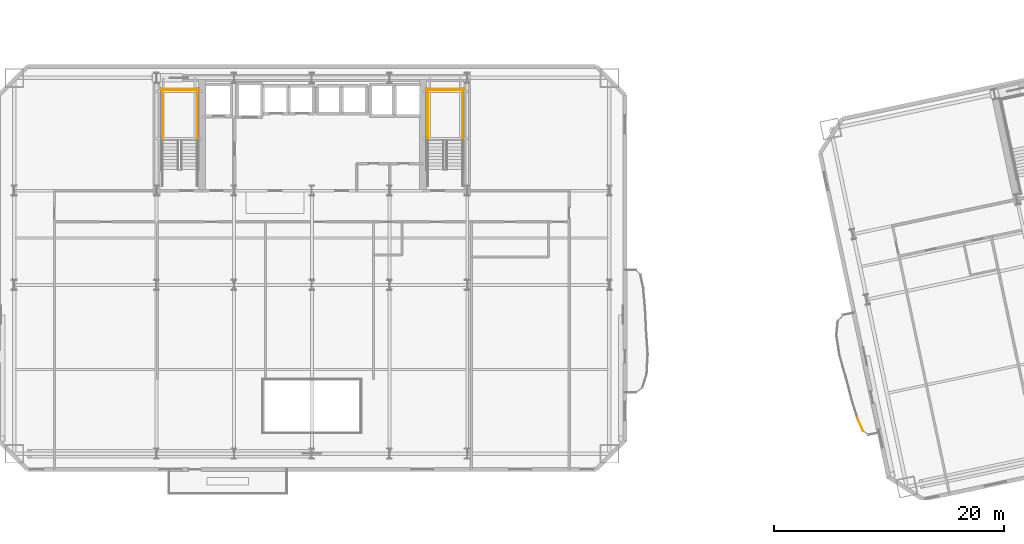
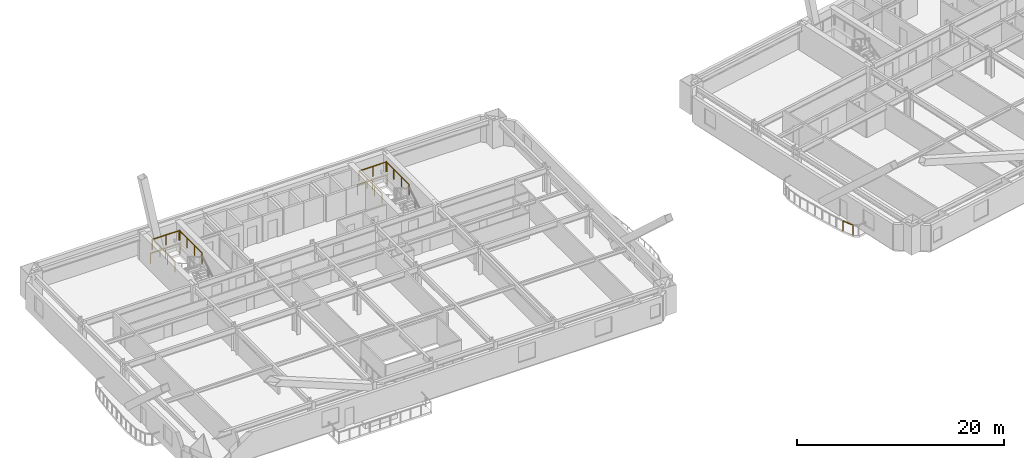
# One storey, part 14 of 17: 9 railings.
"""IFC4 building model written with IfcOpenShell, lengths in metres."""

from ifc_helpers import new_model, si_unit, direction, frame, origin, origin_2d, place, context, subcontext, project, spatial, rectangle, extrude, material, type_object, element, save


model = new_model("IFC4")

# Units and contexts
model_context = context("Model", 3, precision=1e-05, world=origin(), true_north=direction((0.0, 1.0)))
body_context = subcontext(model_context, "Body", "Model", "MODEL_VIEW")
ifc_project = project(units=[si_unit("LENGTHUNIT", "METRE"), si_unit("AREAUNIT", "SQUARE_METRE"), si_unit("VOLUMEUNIT", "CUBIC_METRE"), si_unit("PLANEANGLEUNIT", "RADIAN"), si_unit("MASSUNIT", "GRAM", prefix="KILO")], contexts=[model_context])

# Site, building, storey
site_placement = place(None, origin())
site = spatial("IfcSite", under=ifc_project, at=site_placement, CompositionType="ELEMENT")
building_placement = place(site_placement, origin())
building = spatial("IfcBuilding", under=site, at=building_placement, Name="Haevon Station Towers", CompositionType="ELEMENT")
storey_placement = place(building_placement, frame((0.0, 0.0, 40.5)))
storey = spatial("IfcBuildingStorey", under=building, at=storey_placement, Name="L09", CompositionType="ELEMENT", Elevation=40.5)

# Railings
ifc_material = material(Name="Steel S355", Category="steel")
railing_type_1 = type_object("IfcRailingType", Name="GRD-EXT1200", PredefinedType="GUARDRAIL", material=ifc_material)
railing_1_placement = place(storey_placement, frame((84.914306640625, 18.410888671875, 0.0)))
element("IfcRailing", 1, at=railing_1_placement, inside=storey, type_object=railing_type_1, Name="L09 Perimeter Guardrail 8", PredefinedType="GUARDRAIL", context=body_context, shape_type="SweptSolid", body=[
    extrude(rectangle(XDim=0.048095703125, YDim=0.048095703125, at=origin_2d()), frame((0.0, 0.0, 1.17578125), z_axis=(0.400690202957, -0.916213600234, 0.0), x_axis=(0.916213600234, 0.400690202957, 0.0)), (0.0, 0.0, 1.0), 1.19482421875),
    extrude(rectangle(XDim=0.0419921875, YDim=0.0419921875, at=origin_2d()), origin(), (0.0, 0.0, 1.0), 1.15185546875),
    extrude(rectangle(XDim=0.0419921875, YDim=0.0419921875, at=origin_2d()), frame((0.478759765625, -1.0947265625, 0.0)), (0.0, 0.0, 1.0), 1.15185546875),
])
railing_type_2 = type_object("IfcRailingType", Name="GRD-STR1200", PredefinedType="GUARDRAIL", material=ifc_material)
for number, where, name in (
    (2, (27.530029296875, 42.570068359375, 1.64990234375), "L09 ST1 Stair Guard 3"),
    (3, (24.530029296875, 42.570068359375, 1.64990234375), "L09 ST1 Stair Guard 4"),
):
    element("IfcRailing", number, at=place(storey_placement, frame(where)), inside=storey, type_object=railing_type_2, Name=name, PredefinedType="GUARDRAIL", context=body_context, shape_type="SweptSolid", body=[
        extrude(rectangle(XDim=0.048095703125, YDim=0.048095703125, at=origin_2d()), frame((0.0, 0.0, 1.17578125), z_axis=(0.0, 1.0, 0.0), x_axis=(-1.0, 0.0, 0.0)), (0.0, 0.0, 1.0), 4.429931640625),
        extrude(rectangle(XDim=0.0419921875, YDim=0.0419921875, at=origin_2d()), origin(), (0.0, 0.0, 1.0), 1.15185546875),
        extrude(rectangle(XDim=0.0419921875, YDim=0.0419921875, at=origin_2d()), frame((0.0, 1.4765625, 0.0)), (0.0, 0.0, 1.0), 1.15185546875),
        extrude(rectangle(XDim=0.0419921875, YDim=0.0419921875, at=origin_2d()), frame((0.0, 2.953369140625, 0.0)), (0.0, 0.0, 1.0), 1.15185546875),
        extrude(rectangle(XDim=0.0419921875, YDim=0.0419921875, at=origin_2d()), frame((0.0, 4.429931640625, 0.0)), (0.0, 0.0, 1.0), 1.15185546875),
    ])
railing_2_placement = place(storey_placement, frame((27.580078125, 46.949951171875, 1.64990234375)))
element("IfcRailing", 4, at=railing_2_placement, inside=storey, type_object=railing_type_2, Name="L09 ST1 Stair Guard 5", PredefinedType="GUARDRAIL", context=body_context, shape_type="SweptSolid", body=[
    extrude(rectangle(XDim=0.048095703125, YDim=0.048095703125, at=origin_2d()), frame((0.0, 0.0, 1.17578125), z_axis=(-1.0, 0.0, 0.0), x_axis=(0.0, -1.0, 0.0)), (0.0, 0.0, 1.0), 3.10009765625),
    extrude(rectangle(XDim=0.0419921875, YDim=0.0419921875, at=origin_2d()), origin(), (0.0, 0.0, 1.0), 1.15185546875),
    extrude(rectangle(XDim=0.0419921875, YDim=0.0419921875, at=origin_2d()), frame((-1.550048828125, 0.0, 0.0)), (0.0, 0.0, 1.0), 1.15185546875),
    extrude(rectangle(XDim=0.0419921875, YDim=0.0419921875, at=origin_2d()), frame((-3.10009765625, 0.0, 0.0)), (0.0, 0.0, 1.0), 1.15185546875),
])
railing_3_placement = place(storey_placement, frame((27.679931640625, 47.050048828125, 0.0)))
element("IfcRailing", 5, at=railing_3_placement, inside=storey, type_object=railing_type_2, Name="L09 ST1 Stair Guard 12", PredefinedType="GUARDRAIL", context=body_context, shape_type="SweptSolid", body=[
    extrude(rectangle(XDim=0.048095703125, YDim=0.048095703125, at=origin_2d()), frame((0.0, 0.0, 1.17578125), z_axis=(-1.0, 0.0, 0.0), x_axis=(0.0, -1.0, 0.0)), (0.0, 0.0, 1.0), 3.300048828125),
    extrude(rectangle(XDim=0.0419921875, YDim=0.0419921875, at=origin_2d()), origin(), (0.0, 0.0, 1.0), 1.15185546875),
    extrude(rectangle(XDim=0.0419921875, YDim=0.0419921875, at=origin_2d()), frame((-1.64990234375, 0.0, 0.0)), (0.0, 0.0, 1.0), 1.15185546875),
    extrude(rectangle(XDim=0.0419921875, YDim=0.0419921875, at=origin_2d()), frame((-3.300048828125, 0.0, 0.0)), (0.0, 0.0, 1.0), 1.15185546875),
])
for number, where, name in (
    (6, (50.570068359375, 42.570068359375, 1.64990234375), "L09 ST2 Stair Guard 3"),
    (7, (47.570068359375, 42.570068359375, 1.64990234375), "L09 ST2 Stair Guard 4"),
):
    element("IfcRailing", number, at=place(storey_placement, frame(where)), inside=storey, type_object=railing_type_2, Name=name, PredefinedType="GUARDRAIL", context=body_context, shape_type="SweptSolid", body=[
        extrude(rectangle(XDim=0.048095703125, YDim=0.048095703125, at=origin_2d()), frame((0.0, 0.0, 1.17578125), z_axis=(0.0, 1.0, 0.0), x_axis=(-1.0, 0.0, 0.0)), (0.0, 0.0, 1.0), 4.429931640625),
        extrude(rectangle(XDim=0.0419921875, YDim=0.0419921875, at=origin_2d()), origin(), (0.0, 0.0, 1.0), 1.15185546875),
        extrude(rectangle(XDim=0.0419921875, YDim=0.0419921875, at=origin_2d()), frame((0.0, 1.4765625, 0.0)), (0.0, 0.0, 1.0), 1.15185546875),
        extrude(rectangle(XDim=0.0419921875, YDim=0.0419921875, at=origin_2d()), frame((0.0, 2.953369140625, 0.0)), (0.0, 0.0, 1.0), 1.15185546875),
        extrude(rectangle(XDim=0.0419921875, YDim=0.0419921875, at=origin_2d()), frame((0.0, 4.429931640625, 0.0)), (0.0, 0.0, 1.0), 1.15185546875),
    ])
railing_4_placement = place(storey_placement, frame((50.6201171875, 46.949951171875, 1.64990234375)))
element("IfcRailing", 8, at=railing_4_placement, inside=storey, type_object=railing_type_2, Name="L09 ST2 Stair Guard 5", PredefinedType="GUARDRAIL", context=body_context, shape_type="SweptSolid", body=[
    extrude(rectangle(XDim=0.048095703125, YDim=0.048095703125, at=origin_2d()), frame((0.0, 0.0, 1.17578125), z_axis=(-1.0, 0.0, 0.0), x_axis=(0.0, -1.0, 0.0)), (0.0, 0.0, 1.0), 3.10009765625),
    extrude(rectangle(XDim=0.0419921875, YDim=0.0419921875, at=origin_2d()), origin(), (0.0, 0.0, 1.0), 1.15185546875),
    extrude(rectangle(XDim=0.0419921875, YDim=0.0419921875, at=origin_2d()), frame((-1.550048828125, 0.0, 0.0)), (0.0, 0.0, 1.0), 1.15185546875),
    extrude(rectangle(XDim=0.0419921875, YDim=0.0419921875, at=origin_2d()), frame((-3.10009765625, 0.0, 0.0)), (0.0, 0.0, 1.0), 1.15185546875),
])
railing_5_placement = place(storey_placement, frame((50.719970703125, 47.050048828125, 0.0)))
element("IfcRailing", 9, at=railing_5_placement, inside=storey, type_object=railing_type_2, Name="L09 ST2 Stair Guard 12", PredefinedType="GUARDRAIL", context=body_context, shape_type="SweptSolid", body=[
    extrude(rectangle(XDim=0.048095703125, YDim=0.048095703125, at=origin_2d()), frame((0.0, 0.0, 1.17578125), z_axis=(-1.0, 0.0, 0.0), x_axis=(0.0, -1.0, 0.0)), (0.0, 0.0, 1.0), 3.300048828125),
    extrude(rectangle(XDim=0.0419921875, YDim=0.0419921875, at=origin_2d()), origin(), (0.0, 0.0, 1.0), 1.15185546875),
    extrude(rectangle(XDim=0.0419921875, YDim=0.0419921875, at=origin_2d()), frame((-1.64990234375, 0.0, 0.0)), (0.0, 0.0, 1.0), 1.15185546875),
    extrude(rectangle(XDim=0.0419921875, YDim=0.0419921875, at=origin_2d()), frame((-3.300048828125, 0.0, 0.0)), (0.0, 0.0, 1.0), 1.15185546875),
])

save(model, "model.ifc")
